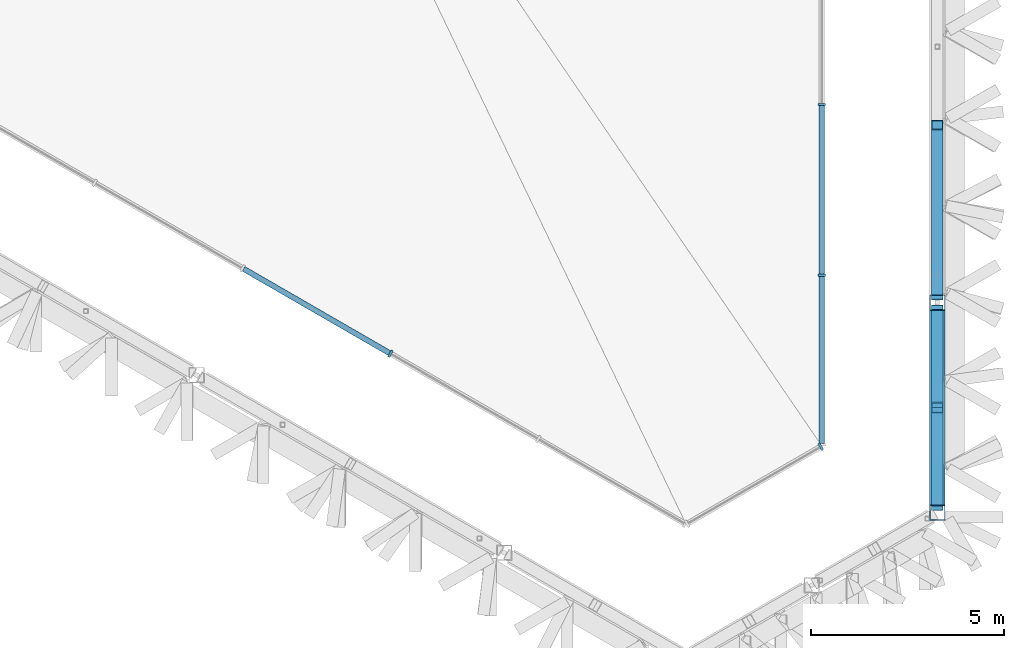
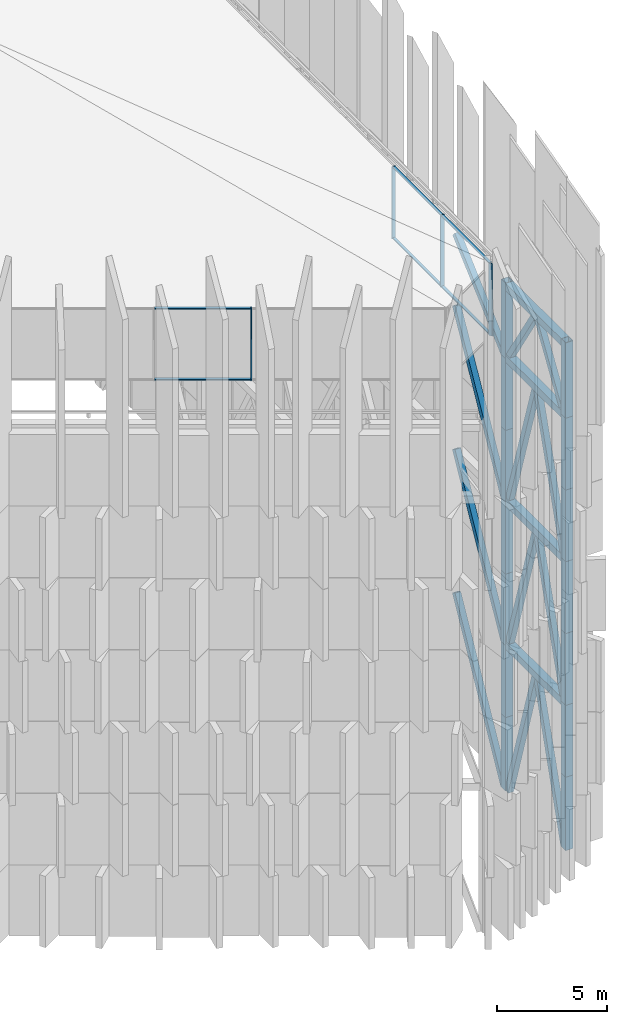
# One storey, part 7 of 45: 40 members, 3 elements without a shape of their own.
"""IFC4 building model written with IfcOpenShell, lengths in metres."""

from ifc_helpers import new_model, si_unit, direction, frame, origin, origin_2d, place, context, subcontext, project, spatial, rectangle, hollow_rectangle, extrude, material, layer, layer_set, material_profile, profile_set, type_object, element, aggregate, save


model = new_model("IFC4")

# Units and contexts
model_context = context("Model", 3, precision=1e-05, world=origin(), true_north=direction((0.0, 1.0)))
body_context = subcontext(model_context, "Body", "Model", "MODEL_VIEW")
ifc_project = project(units=[si_unit("LENGTHUNIT", "METRE"), si_unit("AREAUNIT", "SQUARE_METRE"), si_unit("VOLUMEUNIT", "CUBIC_METRE"), si_unit("PLANEANGLEUNIT", "RADIAN"), si_unit("MASSUNIT", "GRAM", prefix="KILO")], contexts=[model_context])

# Site, building, storey
site_placement = place(None, origin())
site = spatial("IfcSite", under=ifc_project, at=site_placement, CompositionType="ELEMENT")
building_placement = place(site_placement, origin())
building = spatial("IfcBuilding", under=site, at=building_placement, Name="Jabali Bay Hotel Tower and Convention Centre", CompositionType="ELEMENT")
storey_placement = place(building_placement, frame((0.0, 0.0, 322.39990234375)))
storey = spatial("IfcBuildingStorey", under=building, at=storey_placement, Name="Crown", CompositionType="ELEMENT", Elevation=322.39990234375)

# Curtain wall, members
ifc_material_1 = material(Name="Aluminium and glass", Category="aluminium")
ifc_layer = layer(ifc_material_1, 0.199951171875)
ifc_layer_set = layer_set([ifc_layer], Name="Aluminium and glass")
curtain_wall_type = type_object("IfcCurtainWallType", Name="CW6 curtain wall", PredefinedType="NOTDEFINED", material=ifc_layer_set)
curtain_wall_1_placement = place(storey_placement, origin())
curtain_wall_1 = element("IfcCurtainWall", 1, at=curtain_wall_1_placement, inside=storey, type_object=curtain_wall_type, Name="CW6 lantern glazing 1", PredefinedType="NOTDEFINED")
ifc_material_2 = material(Name="Aluminium", Category="aluminium")
ifc_material_profile_1 = material_profile(ifc_material_2, rectangle(XDim=0.199951171875, YDim=0.06005859375, at=origin_2d()), Name="CW6 mullion 60 x 200")
ifc_profile_set_1 = profile_set([ifc_material_profile_1], Name="Aluminium")
member_type_1 = type_object("IfcMemberType", Name="CW6 mullion 60 x 200", PredefinedType="MULLION", material=ifc_profile_set_1)
member_1_placement = place(storey_placement, frame((90.148681640625, 62.26416015625, 28.35009765625), z_axis=(0.0, 0.0, 1.0), x_axis=(-1.0, 0.0, 0.0)))
member_1 = element("IfcMember", 2, at=member_1_placement, type_object=member_type_1, Name="CW6 mullion 2", PredefinedType="MULLION", context=body_context, shape_type="SweptSolid", body=[
    extrude(rectangle(XDim=0.199951171875, YDim=0.06005859375, at=origin_2d()), origin(), (0.0, 0.0, 1.0), 4.0),
])
member_2_placement = place(storey_placement, frame((90.148681640625, 66.697998046875, 28.35009765625), z_axis=(0.0, 0.0, 1.0), x_axis=(-1.0, 0.0, 0.0)))
member_2 = element("IfcMember", 3, at=member_2_placement, type_object=member_type_1, Name="CW6 mullion 3", PredefinedType="MULLION", context=body_context, shape_type="SweptSolid", body=[
    extrude(rectangle(XDim=0.199951171875, YDim=0.06005859375, at=origin_2d()), origin(), (0.0, 0.0, 1.0), 4.0),
])

# Curtain wall, member
curtain_wall_2_placement = place(storey_placement, origin())
curtain_wall_2 = element("IfcCurtainWall", 4, at=curtain_wall_2_placement, inside=storey, type_object=curtain_wall_type, Name="CW6 lantern glazing 5", PredefinedType="NOTDEFINED")
member_3_placement = place(storey_placement, frame((78.945556640625, 60.229736328125, 28.35009765625), z_axis=(0.0, 0.0, 1.0), x_axis=(0.500000005124, 0.866025400826, 0.0)))
member_3 = element("IfcMember", 5, at=member_3_placement, type_object=member_type_1, Name="CW6 mullion 9", PredefinedType="MULLION", context=body_context, shape_type="SweptSolid", body=[
    extrude(rectangle(XDim=0.199951171875, YDim=0.06005859375, at=origin_2d()), origin(), (0.0, 0.0, 1.0), 4.0),
])

curtain_wall_3_placement = place(storey_placement, origin())
curtain_wall_3 = element("IfcCurtainWall", 6, at=curtain_wall_3_placement, inside=storey, type_object=curtain_wall_type, Name="CW6 lantern glazing 6", PredefinedType="NOTDEFINED")
member_4_placement = place(storey_placement, frame((90.122802734375, 57.815185546875, 28.35009765625), z_axis=(0.0, 0.0, 1.0), x_axis=(-0.499999973851, 0.866025418882, 0.0)))
member_4 = element("IfcMember", 7, at=member_4_placement, type_object=member_type_1, Name="CW6 mullion 2", PredefinedType="MULLION", context=body_context, shape_type="SweptSolid", body=[
    extrude(rectangle(XDim=0.199951171875, YDim=0.06005859375, at=origin_2d()), origin(), (0.0, 0.0, 1.0), 4.0),
])
aggregate(curtain_wall_3, [member_4])

# Member
ifc_material_profile_2 = material_profile(ifc_material_2, rectangle(XDim=0.139892578125, YDim=0.06005859375, at=origin_2d()), Name="CW6 transom 60 x 140")
ifc_profile_set_2 = profile_set([ifc_material_profile_2], Name="Aluminium")
member_type_2 = type_object("IfcMemberType", Name="CW6 transom 60 x 140", PredefinedType="USERDEFINED", material=ifc_profile_set_2)
member_5_placement = place(storey_placement, frame((90.148681640625, 57.89013671875, 28.380126953125), z_axis=(0.0, 1.0, 0.0), x_axis=(-1.0, 0.0, 0.0)))
member_5 = element("IfcMember", 8, at=member_5_placement, type_object=member_type_2, Name="CW6 transom 1.1", ObjectType="TRANSOM", PredefinedType="USERDEFINED", context=body_context, shape_type="SweptSolid", body=[
    extrude(rectangle(XDim=0.139892578125, YDim=0.06005859375, at=origin_2d()), origin(), (0.0, 0.0, 1.0), 4.343994140625),
])

member_6_placement = place(storey_placement, frame((90.148681640625, 57.89013671875, 32.320068359375), z_axis=(0.0, 1.0, 0.0), x_axis=(-1.0, 0.0, 0.0)))
member_6 = element("IfcMember", 9, at=member_6_placement, type_object=member_type_2, Name="CW6 transom 1.2", ObjectType="TRANSOM", PredefinedType="USERDEFINED", context=body_context, shape_type="SweptSolid", body=[
    extrude(rectangle(XDim=0.139892578125, YDim=0.06005859375, at=origin_2d()), origin(), (0.0, 0.0, 1.0), 4.343994140625),
])

member_7_placement = place(storey_placement, frame((90.148681640625, 62.2939453125, 28.380126953125), z_axis=(0.0, 1.0, 0.0), x_axis=(-1.0, 0.0, 0.0)))
member_7 = element("IfcMember", 10, at=member_7_placement, type_object=member_type_2, Name="CW6 transom 2.1", ObjectType="TRANSOM", PredefinedType="USERDEFINED", context=body_context, shape_type="SweptSolid", body=[
    extrude(rectangle(XDim=0.139892578125, YDim=0.06005859375, at=origin_2d()), origin(), (0.0, 0.0, 1.0), 4.3740234375),
])

member_8_placement = place(storey_placement, frame((90.148681640625, 62.2939453125, 32.320068359375), z_axis=(0.0, 1.0, 0.0), x_axis=(-1.0, 0.0, 0.0)))
member_8 = element("IfcMember", 11, at=member_8_placement, type_object=member_type_2, Name="CW6 transom 2.2", ObjectType="TRANSOM", PredefinedType="USERDEFINED", context=body_context, shape_type="SweptSolid", body=[
    extrude(rectangle(XDim=0.139892578125, YDim=0.06005859375, at=origin_2d()), origin(), (0.0, 0.0, 1.0), 4.3740234375),
])

aggregate(curtain_wall_1, [member_1, member_2, member_5, member_6, member_7, member_8])

member_9_placement = place(storey_placement, frame((75.131591796875, 62.431884765625, 28.380126953125), z_axis=(0.866015480101, -0.500017187931, 0.0), x_axis=(0.500017187931, 0.866015480101, 0.0)))
member_9 = element("IfcMember", 12, at=member_9_placement, type_object=member_type_2, Name="CW6 transom 8.1", ObjectType="TRANSOM", PredefinedType="USERDEFINED", context=body_context, shape_type="SweptSolid", body=[
    extrude(rectangle(XDim=0.139892578125, YDim=0.06005859375, at=origin_2d()), origin(), (0.0, 0.0, 1.0), 4.373779296875),
])

member_10_placement = place(storey_placement, frame((75.131591796875, 62.431884765625, 32.320068359375), z_axis=(0.866015480101, -0.500017187931, 0.0), x_axis=(0.500017187931, 0.866015480101, 0.0)))
member_10 = element("IfcMember", 13, at=member_10_placement, type_object=member_type_2, Name="CW6 transom 8.2", ObjectType="TRANSOM", PredefinedType="USERDEFINED", context=body_context, shape_type="SweptSolid", body=[
    extrude(rectangle(XDim=0.139892578125, YDim=0.06005859375, at=origin_2d()), origin(), (0.0, 0.0, 1.0), 4.373779296875),
])

aggregate(curtain_wall_2, [member_3, member_9, member_10])

# Members
ifc_material_3 = material(Name="Steel Q420GJC", Category="steel")
ifc_material_profile_3 = material_profile(ifc_material_3, hollow_rectangle(XDim=0.300048828125, YDim=0.300048828125, WallThickness=0.01611328125, at=origin_2d()), Name="Crown frame brace 300x300x16")
ifc_profile_set_3 = profile_set([ifc_material_profile_3], Name="Steel Q420GJC")
member_type_3 = type_object("IfcMemberType", Name="Crown frame brace 300x300x16", PredefinedType="USERDEFINED", material=ifc_profile_set_3)
for number, where, z_axis, x_axis, name in (
    (14, (93.148681640625, 56.298095703125, -0.099853515625), (0.0, 0.298899486633, 0.954284599525), (-1.0, 0.0, 0.0), "Crown brace 1 V0-F0.1l"),
    (15, (93.148681640625, 61.3544921875, -0.099853515625), (0.0, -0.29892577268, 0.954276365854), (1.0, 0.0, 0.0), "Crown brace 1 V0-F0.1r"),
):
    element("IfcMember", number, at=place(storey_placement, frame(where, z_axis=z_axis, x_axis=x_axis)), inside=storey, type_object=member_type_3, Name=name, ObjectType="CROWN FRAME", PredefinedType="USERDEFINED", context=body_context, shape_type="SweptSolid", body=[
        extrude(hollow_rectangle(XDim=0.300048828125, YDim=0.300048828125, WallThickness=0.01611328125, at=origin_2d()), origin(), (0.0, 0.0, 1.0), 8.4580078125),
    ])
member_11_placement = place(storey_placement, frame((93.148681640625, 61.75439453125, -0.099853515625), z_axis=(0.0, 0.479593962396, 0.877490530566), x_axis=(-1.0, 0.0, 0.0)))
element("IfcMember", 16, at=member_11_placement, inside=storey, type_object=member_type_3, Name="Crown brace 1 F0.1-F0.2l", ObjectType="CROWN FRAME", PredefinedType="USERDEFINED", context=body_context, shape_type="SweptSolid", body=[
    extrude(hollow_rectangle(XDim=0.300048828125, YDim=0.300048828125, WallThickness=0.01611328125, at=origin_2d()), origin(), (0.0, 0.0, 1.0), 9.1982421875),
])
for number, where, z_axis, x_axis, name in (
    (17, (93.148681640625, 56.298095703125, 7.971435546875), (0.0, 0.302303384248, 0.953211762345), (-1.0, 0.0, 0.0), "Crown brace 2 V0-F0.1l"),
    (18, (93.148681640625, 61.3544921875, 7.971435546875), (0.0, -0.302329909892, 0.953203349545), (1.0, 0.0, 0.0), "Crown brace 2 V0-F0.1r"),
):
    element("IfcMember", number, at=place(storey_placement, frame(where, z_axis=z_axis, x_axis=x_axis)), inside=storey, type_object=member_type_3, Name=name, ObjectType="CROWN FRAME", PredefinedType="USERDEFINED", context=body_context, shape_type="SweptSolid", body=[
        extrude(hollow_rectangle(XDim=0.300048828125, YDim=0.300048828125, WallThickness=0.01611328125, at=origin_2d()), origin(), (0.0, 0.0, 1.0), 8.36279296875),
    ])
member_12_placement = place(storey_placement, frame((93.148681640625, 61.75439453125, 7.971435546875), z_axis=(0.0, 0.484199768174, 0.874957475824), x_axis=(-1.0, 0.0, 0.0)))
element("IfcMember", 19, at=member_12_placement, inside=storey, type_object=member_type_3, Name="Crown brace 2 F0.1-F0.2l", ObjectType="CROWN FRAME", PredefinedType="USERDEFINED", context=body_context, shape_type="SweptSolid", body=[
    extrude(hollow_rectangle(XDim=0.300048828125, YDim=0.300048828125, WallThickness=0.01611328125, at=origin_2d()), origin(), (0.0, 0.0, 1.0), 9.110595703125),
])
for number, where, z_axis, x_axis, name in (
    (20, (93.148681640625, 56.298095703125, 15.94287109375), (0.0, 0.302303384248, 0.953211762345), (-1.0, 0.0, 0.0), "Crown brace 3 V0-F0.1l"),
    (21, (93.148681640625, 61.3544921875, 15.94287109375), (0.0, -0.302329909892, 0.953203349545), (1.0, 0.0, 0.0), "Crown brace 3 V0-F0.1r"),
):
    element("IfcMember", number, at=place(storey_placement, frame(where, z_axis=z_axis, x_axis=x_axis)), inside=storey, type_object=member_type_3, Name=name, ObjectType="CROWN FRAME", PredefinedType="USERDEFINED", context=body_context, shape_type="SweptSolid", body=[
        extrude(hollow_rectangle(XDim=0.300048828125, YDim=0.300048828125, WallThickness=0.01611328125, at=origin_2d()), origin(), (0.0, 0.0, 1.0), 8.36279296875),
    ])
member_13_placement = place(storey_placement, frame((93.148681640625, 61.75439453125, 15.94287109375), z_axis=(0.0, 0.484199768174, 0.874957475824), x_axis=(-1.0, 0.0, 0.0)))
element("IfcMember", 22, at=member_13_placement, inside=storey, type_object=member_type_3, Name="Crown brace 3 F0.1-F0.2l", ObjectType="CROWN FRAME", PredefinedType="USERDEFINED", context=body_context, shape_type="SweptSolid", body=[
    extrude(hollow_rectangle(XDim=0.300048828125, YDim=0.300048828125, WallThickness=0.01611328125, at=origin_2d()), origin(), (0.0, 0.0, 1.0), 9.110595703125),
])
member_14_placement = place(storey_placement, frame((93.148681640625, 56.298095703125, 23.914306640625), z_axis=(0.0, 0.535613104286, 0.844463499814), x_axis=(-1.0, 0.0, 0.0)))
element("IfcMember", 23, at=member_14_placement, inside=storey, type_object=member_type_3, Name="Crown brace 4 V0-F0.1l", ObjectType="CROWN FRAME", PredefinedType="USERDEFINED", context=body_context, shape_type="SweptSolid", body=[
    extrude(hollow_rectangle(XDim=0.300048828125, YDim=0.300048828125, WallThickness=0.01611328125, at=origin_2d()), origin(), (0.0, 0.0, 1.0), 4.719970703125),
])
member_15_placement = place(storey_placement, frame((93.148681640625, 61.3544921875, 23.914306640625), z_axis=(0.0, -0.535649988863, 0.844440104111), x_axis=(1.0, 0.0, 0.0)))
element("IfcMember", 24, at=member_15_placement, inside=storey, type_object=member_type_3, Name="Crown brace 4 V0-F0.1r", ObjectType="CROWN FRAME", PredefinedType="USERDEFINED", context=body_context, shape_type="SweptSolid", body=[
    extrude(hollow_rectangle(XDim=0.300048828125, YDim=0.300048828125, WallThickness=0.01611328125, at=origin_2d()), origin(), (0.0, 0.0, 1.0), 4.72021484375),
])
member_16_placement = place(storey_placement, frame((93.148681640625, 61.75439453125, 23.914306640625), z_axis=(0.0, 0.741987981752, 0.670413182251), x_axis=(-1.0, 0.0, 0.0)))
element("IfcMember", 25, at=member_16_placement, inside=storey, type_object=member_type_3, Name="Crown brace 4 F0.1-F0.2l", ObjectType="CROWN FRAME", PredefinedType="USERDEFINED", context=body_context, shape_type="SweptSolid", body=[
    extrude(hollow_rectangle(XDim=0.300048828125, YDim=0.300048828125, WallThickness=0.01611328125, at=origin_2d()), origin(), (0.0, 0.0, 1.0), 5.9453125),
])
ifc_material_profile_4 = material_profile(ifc_material_3, hollow_rectangle(XDim=0.39990234375, YDim=0.39990234375, WallThickness=0.02001953125, at=origin_2d()), Name="Crown frame member 400x400x20")
ifc_profile_set_4 = profile_set([ifc_material_profile_4], Name="Steel Q420GJC")
member_type_4 = type_object("IfcMemberType", Name="Crown frame member 400x400x20", PredefinedType="USERDEFINED", material=ifc_profile_set_4)
for number, where, z_axis, x_axis, name in (
    (26, (93.148681640625, 56.09814453125, -0.099853515625), (0.0, 0.0, 1.0), (1.0, 0.0, 0.0), "Crown post V0 1"),
    (27, (93.148681640625, 61.554443359375, -0.099853515625), (0.0, 0.0, 1.0), (1.0, 0.0, 0.0), "Crown post F0.1 1"),
):
    element("IfcMember", number, at=place(storey_placement, frame(where, z_axis=z_axis, x_axis=x_axis)), inside=storey, type_object=member_type_4, Name=name, ObjectType="CROWN FRAME", PredefinedType="USERDEFINED", context=body_context, shape_type="SweptSolid", body=[
        extrude(hollow_rectangle(XDim=0.39990234375, YDim=0.39990234375, WallThickness=0.02001953125, at=origin_2d()), origin(), (0.0, 0.0, 1.0), 4.085693359375),
    ])
for number, where, z_axis, x_axis, name in (
    (28, (93.148681640625, 56.09814453125, 3.98583984375), (0.0, 0.0, 1.0), (1.0, 0.0, 0.0), "Crown post V0 2"),
    (29, (93.148681640625, 61.554443359375, 3.98583984375), (0.0, 0.0, 1.0), (1.0, 0.0, 0.0), "Crown post F0.1 2"),
):
    element("IfcMember", number, at=place(storey_placement, frame(where, z_axis=z_axis, x_axis=x_axis)), inside=storey, type_object=member_type_4, Name=name, ObjectType="CROWN FRAME", PredefinedType="USERDEFINED", context=body_context, shape_type="SweptSolid", body=[
        extrude(hollow_rectangle(XDim=0.39990234375, YDim=0.39990234375, WallThickness=0.02001953125, at=origin_2d()), origin(), (0.0, 0.0, 1.0), 3.985595703125),
    ])
for number, where, z_axis, x_axis, name in (
    (30, (93.148681640625, 56.09814453125, 7.971435546875), (0.0, 0.0, 1.0), (1.0, 0.0, 0.0), "Crown post V0 3"),
    (31, (93.148681640625, 61.554443359375, 7.971435546875), (0.0, 0.0, 1.0), (1.0, 0.0, 0.0), "Crown post F0.1 3"),
):
    element("IfcMember", number, at=place(storey_placement, frame(where, z_axis=z_axis, x_axis=x_axis)), inside=storey, type_object=member_type_4, Name=name, ObjectType="CROWN FRAME", PredefinedType="USERDEFINED", context=body_context, shape_type="SweptSolid", body=[
        extrude(hollow_rectangle(XDim=0.39990234375, YDim=0.39990234375, WallThickness=0.02001953125, at=origin_2d()), origin(), (0.0, 0.0, 1.0), 3.98583984375),
    ])
for number, where, z_axis, x_axis, name in (
    (32, (93.148681640625, 56.09814453125, 11.957275390625), (0.0, 0.0, 1.0), (1.0, 0.0, 0.0), "Crown post V0 4"),
    (33, (93.148681640625, 61.554443359375, 11.957275390625), (0.0, 0.0, 1.0), (1.0, 0.0, 0.0), "Crown post F0.1 4"),
):
    element("IfcMember", number, at=place(storey_placement, frame(where, z_axis=z_axis, x_axis=x_axis)), inside=storey, type_object=member_type_4, Name=name, ObjectType="CROWN FRAME", PredefinedType="USERDEFINED", context=body_context, shape_type="SweptSolid", body=[
        extrude(hollow_rectangle(XDim=0.39990234375, YDim=0.39990234375, WallThickness=0.02001953125, at=origin_2d()), origin(), (0.0, 0.0, 1.0), 3.985595703125),
    ])
for number, where, z_axis, x_axis, name in (
    (34, (93.148681640625, 56.09814453125, 15.94287109375), (0.0, 0.0, 1.0), (1.0, 0.0, 0.0), "Crown post V0 5"),
    (35, (93.148681640625, 61.554443359375, 15.94287109375), (0.0, 0.0, 1.0), (1.0, 0.0, 0.0), "Crown post F0.1 5"),
):
    element("IfcMember", number, at=place(storey_placement, frame(where, z_axis=z_axis, x_axis=x_axis)), inside=storey, type_object=member_type_4, Name=name, ObjectType="CROWN FRAME", PredefinedType="USERDEFINED", context=body_context, shape_type="SweptSolid", body=[
        extrude(hollow_rectangle(XDim=0.39990234375, YDim=0.39990234375, WallThickness=0.02001953125, at=origin_2d()), origin(), (0.0, 0.0, 1.0), 3.98583984375),
    ])
for number, where, z_axis, x_axis, name in (
    (36, (93.148681640625, 56.09814453125, 19.9287109375), (0.0, 0.0, 1.0), (1.0, 0.0, 0.0), "Crown post V0 6"),
    (37, (93.148681640625, 61.554443359375, 19.9287109375), (0.0, 0.0, 1.0), (1.0, 0.0, 0.0), "Crown post F0.1 6"),
):
    element("IfcMember", number, at=place(storey_placement, frame(where, z_axis=z_axis, x_axis=x_axis)), inside=storey, type_object=member_type_4, Name=name, ObjectType="CROWN FRAME", PredefinedType="USERDEFINED", context=body_context, shape_type="SweptSolid", body=[
        extrude(hollow_rectangle(XDim=0.39990234375, YDim=0.39990234375, WallThickness=0.02001953125, at=origin_2d()), origin(), (0.0, 0.0, 1.0), 3.985595703125),
    ])
for number, where, z_axis, x_axis, name in (
    (38, (93.148681640625, 56.09814453125, 23.914306640625), (0.0, 0.0, 1.0), (1.0, 0.0, 0.0), "Crown post V0 7"),
    (39, (93.148681640625, 61.554443359375, 23.914306640625), (0.0, 0.0, 1.0), (1.0, 0.0, 0.0), "Crown post F0.1 7"),
):
    element("IfcMember", number, at=place(storey_placement, frame(where, z_axis=z_axis, x_axis=x_axis)), inside=storey, type_object=member_type_4, Name=name, ObjectType="CROWN FRAME", PredefinedType="USERDEFINED", context=body_context, shape_type="SweptSolid", body=[
        extrude(hollow_rectangle(XDim=0.39990234375, YDim=0.39990234375, WallThickness=0.02001953125, at=origin_2d()), origin(), (0.0, 0.0, 1.0), 4.185791015625),
    ])
for number, where, z_axis, x_axis, name in (
    (40, (93.148681640625, 56.298095703125, 7.971435546875), (0.0, 1.0, 0.0), (-1.0, 0.0, 0.0), "Crown ring 330.371 V0-F0.1"),
    (41, (93.148681640625, 56.298095703125, 15.94287109375), (0.0, 1.0, 0.0), (-1.0, 0.0, 0.0), "Crown ring 338.343 V0-F0.1"),
    (42, (93.148681640625, 56.298095703125, 23.914306640625), (0.0, 1.0, 0.0), (-1.0, 0.0, 0.0), "Crown ring 346.314 V0-F0.1"),
    (43, (93.148681640625, 56.298095703125, 27.900146484375), (0.0, 1.0, 0.0), (-1.0, 0.0, 0.0), "Crown ring 350.3 V0-F0.1"),
):
    element("IfcMember", number, at=place(storey_placement, frame(where, z_axis=z_axis, x_axis=x_axis)), inside=storey, type_object=member_type_4, Name=name, ObjectType="CROWN FRAME", PredefinedType="USERDEFINED", context=body_context, shape_type="SweptSolid", body=[
        extrude(hollow_rectangle(XDim=0.39990234375, YDim=0.39990234375, WallThickness=0.02001953125, at=origin_2d()), origin(), (0.0, 0.0, 1.0), 5.056396484375),
    ])

save(model, "model.ifc")
